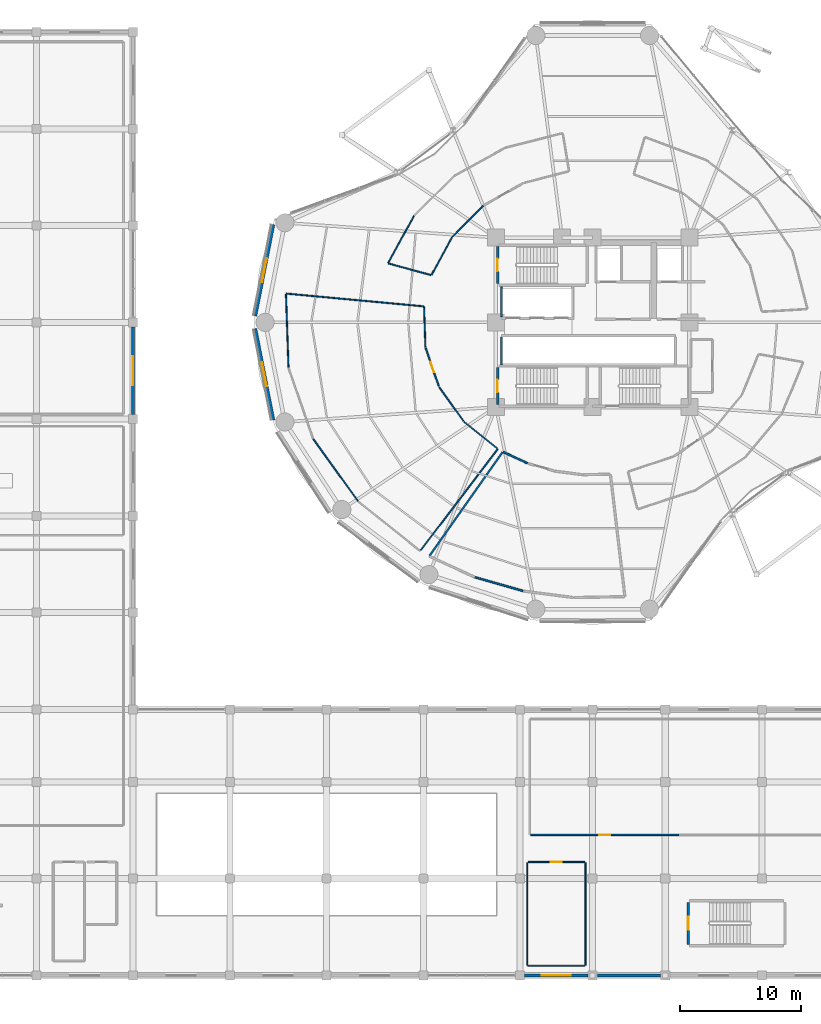
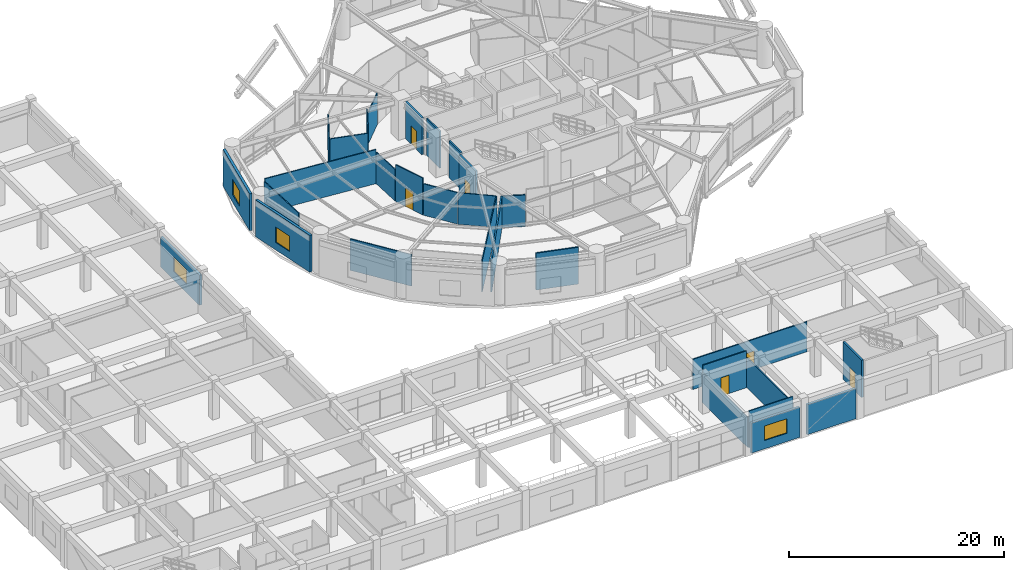
# One storey, part 43 of 55: 30 walls, 6 doors, 4 windows, 10 openings.
"""IFC4 building model written with IfcOpenShell, lengths in metres."""

import ifcopenshell
import ifcopenshell.guid

model = None  # the IFC model being written
_history = None  # IfcOwnerHistory: only IFC2X3 demands one
_inside = {}  # id of a spatial element -> (the spatial element, [elements in it])
_under = {}  # id of a project, library or spatial element -> (it, [spatial elements below it])
_declared = {}  # id of a project -> (the project, [libraries it declares])
_typed = {}  # id of a type object -> (the type object, [elements of that type])
_made_of = {}  # id of a material, layer set ... -> (it, [elements and type objects made of it])


def new_model(schema):
    """Start an empty IFC model of exactly this schema.

    Asked for "IFC4X3", IfcOpenShell would pick the latest addendum, in which some entities
    have other attributes; the version numbers below select the first issue.
    IFC2X3 requires an IfcOwnerHistory on every rooted entity: one is made here for all.
    """
    global model, _history
    if schema == "IFC4X3":
        model = ifcopenshell.file(schema_version=(4, 3, 0, 0))
    else:
        model = ifcopenshell.file(schema=schema)
    _inside.clear()
    _under.clear()
    _declared.clear()
    _typed.clear()
    _made_of.clear()
    _history = None
    if model.schema == "IFC2X3":
        org = make("IfcOrganization", Name="unknown")
        user = make(
            "IfcPersonAndOrganization",
            ThePerson=make("IfcPerson", FamilyName="unknown"),
            TheOrganization=org,
        )
        app = make(
            "IfcApplication",
            ApplicationDeveloper=org,
            Version="unknown",
            ApplicationFullName="unknown",
            ApplicationIdentifier="unknown",
        )
        _history = make(
            "IfcOwnerHistory",
            OwningUser=user,
            OwningApplication=app,
            ChangeAction="ADDED",
            CreationDate=0,
        )
    return model


def make(cls, **values):
    """One entity of the class cls with the attributes given. An attribute that is None is left unset."""
    return model.create_entity(
        cls, **{name: value for name, value in values.items() if value is not None}
    )


def rooted(cls, **values):
    """An entity with a GlobalId (a new one), such as an element, a storey or a relation."""
    return make(cls, GlobalId=ifcopenshell.guid.new(), OwnerHistory=_history, **values)


def si_unit(unit_type, name, prefix=None):
    """IfcSIUnit, for example si_unit("LENGTHUNIT", "METRE", prefix="MILLI")."""
    return make("IfcSIUnit", UnitType=unit_type, Prefix=prefix, Name=name)


def assignment(units):
    """IfcUnitAssignment: the units of a project."""
    return None if units is None else make("IfcUnitAssignment", Units=units)


def point(xyz):
    """IfcCartesianPoint."""
    return None if xyz is None else make("IfcCartesianPoint", Coordinates=xyz)


def direction(xyz):
    """IfcDirection."""
    return None if xyz is None else make("IfcDirection", DirectionRatios=xyz)


def frame(location, z_axis=None, x_axis=None):
    """IfcAxis2Placement3D, a coordinate frame: its origin and axes. An axis left out is left unset."""
    return make(
        "IfcAxis2Placement3D",
        Location=point(location),
        Axis=direction(z_axis),
        RefDirection=direction(x_axis),
    )


def frame_2d(location, x_axis=None):
    """IfcAxis2Placement2D, a coordinate frame in the plane: its origin and x axis."""
    return make(
        "IfcAxis2Placement2D", Location=point(location), RefDirection=direction(x_axis)
    )


def origin():
    """The frame at (0, 0, 0) with its axes left unset."""
    return frame((0.0, 0.0, 0.0))


def place(relative_to, where):
    """IfcLocalPlacement: puts the frame where relative to a parent placement (None: the world)."""
    return make(
        "IfcLocalPlacement", PlacementRelTo=relative_to, RelativePlacement=where
    )


def context(
    kind, dimensions, precision=None, world=None, true_north=None, identifier=None
):
    """IfcGeometricRepresentationContext, for example the 3D "Model" context."""
    return make(
        "IfcGeometricRepresentationContext",
        ContextIdentifier=identifier,
        ContextType=kind,
        CoordinateSpaceDimension=dimensions,
        Precision=precision,
        WorldCoordinateSystem=world,
        TrueNorth=true_north,
    )


def subcontext(parent, identifier, kind, view, scale=None):
    """IfcGeometricRepresentationSubContext, for example "Body" below "Model"."""
    return make(
        "IfcGeometricRepresentationSubContext",
        ContextIdentifier=identifier,
        ContextType=kind,
        ParentContext=parent,
        TargetScale=scale,
        TargetView=view,
    )


def project(units=None, contexts=None):
    """IfcProject with its units and contexts."""
    return rooted(
        "IfcProject",
        Name="project",
        RepresentationContexts=contexts,
        UnitsInContext=assignment(units),
    )


def spatial(cls, under=None, at=None, **own):
    """A site, building, storey or space (cls), placed at a placement, below another one or the project."""
    s = rooted(cls, ObjectPlacement=at, **own)
    if under is not None:
        _under.setdefault(under.id(), (under, []))[1].append(s)
    return s


def profile(cls, at=None, kind="AREA", **sizes):
    """A parametric profile (cls). Its sizes go by their IFC names, for example OverallWidth=200.0."""
    return make(cls, ProfileType=kind, Position=at, **sizes)


def rectangle(**sizes):
    """IfcRectangleProfileDef."""
    return profile("IfcRectangleProfileDef", **sizes)


def extrude(swept, where, along, depth):
    """IfcExtrudedAreaSolid: the profile swept, set in the frame where, extruded along a direction by depth."""
    return make(
        "IfcExtrudedAreaSolid",
        SweptArea=swept,
        Position=where,
        ExtrudedDirection=direction(along),
        Depth=depth,
    )


def shape(context_of_items, identifier, shape_type, items):
    """IfcShapeRepresentation: the items that make up one representation, for example the "Body"."""
    return make(
        "IfcShapeRepresentation",
        ContextOfItems=context_of_items,
        RepresentationIdentifier=identifier,
        RepresentationType=shape_type,
        Items=items,
    )


def material(Name=None, Category=None):
    """IfcMaterial."""
    return make("IfcMaterial", Name=Name, Category=Category)


def layer(
    of_material, thickness, ventilated=None, Name=None, Category=None, Priority=None
):
    """IfcMaterialLayer: one layer of a wall or slab, of a material (None: an air gap)."""
    return make(
        "IfcMaterialLayer",
        Material=of_material,
        LayerThickness=thickness,
        IsVentilated=ventilated,
        Name=Name,
        Category=Category,
        Priority=Priority,
    )


def layer_set(layers, Name=None):
    """IfcMaterialLayerSet."""
    return make("IfcMaterialLayerSet", MaterialLayers=layers, LayerSetName=Name)


def made_of(thing, what):
    """Note that an element or type object is made of a material, layer set ...; save() writes the relation."""
    if what is not None:
        _made_of.setdefault(what.id(), (what, []))[1].append(thing)
    return thing


def type_object(cls, material=None, **own):
    """A type object (cls), such as IfcWallType, which elements share."""
    return made_of(rooted(cls, **own), material)


def element(
    cls,
    number,
    at=None,
    inside=None,
    cuts=None,
    type_object=None,
    material=None,
    context=None,
    identifier="Body",
    shape_type=None,
    held_by="IfcProductDefinitionShape",
    body=None,
    shapes=None,
    **own,
):
    """One element of the class cls, such as IfcWall. Its Tag is "e" and its number.

    at: its placement. inside: the storey or other place that contains it. cuts: it is an
    opening in that element (IfcRelVoidsElement). A single representation is given by context,
    identifier, shape_type and body (its items); several are given by shapes. held_by: the class
    of the entity that holds the representations. save() writes the other relations.
    """
    e = rooted(cls, Tag="e%d" % number, ObjectPlacement=at, **own)
    if body is not None:
        shapes = [shape(context, identifier, shape_type, body)]
    if shapes is not None:
        e.Representation = make(held_by, Representations=shapes)
    if inside is not None:
        _inside.setdefault(inside.id(), (inside, []))[1].append(e)
    if cuts is not None:
        rooted(
            "IfcRelVoidsElement", RelatingBuildingElement=cuts, RelatedOpeningElement=e
        )
    if type_object is not None:
        _typed.setdefault(type_object.id(), (type_object, []))[1].append(e)
    return made_of(e, material)


def fill(opening, filler):
    """IfcRelFillsElement: the door or window that sits in an opening."""
    return rooted(
        "IfcRelFillsElement",
        RelatingOpeningElement=opening,
        RelatedBuildingElement=filler,
    )


def aggregate(whole, parts):
    """IfcRelAggregates: a whole, such as a stair, and the parts it consists of."""
    return rooted("IfcRelAggregates", RelatingObject=whole, RelatedObjects=parts)


def save(model, path):
    """Write the relations noted so far, then the file.

    IfcRelAggregates (storeys below a building ...), IfcRelContainedInSpatialStructure (elements
    in a storey), IfcRelDefinesByType, IfcRelAssociatesMaterial and IfcRelDeclares: one each for
    every whole, place, type object, material and project.
    """
    for whole, parts in _under.values():
        aggregate(whole, parts)
    for where, things in _inside.values():
        rooted(
            "IfcRelContainedInSpatialStructure",
            RelatedElements=things,
            RelatingStructure=where,
        )
    for kind, things in _typed.values():
        rooted("IfcRelDefinesByType", RelatedObjects=things, RelatingType=kind)
    for what, things in _made_of.values():
        rooted("IfcRelAssociatesMaterial", RelatedObjects=things, RelatingMaterial=what)
    for by, libraries in _declared.values():
        rooted("IfcRelDeclares", RelatingContext=by, RelatedDefinitions=libraries)
    model.write(path)


model = new_model("IFC4")

# Units and contexts
model_context = context("Model", 3, precision=1e-05, world=origin(), true_north=direction((0.0, 1.0)))
body_context = subcontext(model_context, "Body", "Model", "MODEL_VIEW")
ifc_project = project(units=[si_unit("LENGTHUNIT", "METRE"), si_unit("AREAUNIT", "SQUARE_METRE"), si_unit("VOLUMEUNIT", "CUBIC_METRE"), si_unit("PLANEANGLEUNIT", "RADIAN"), si_unit("MASSUNIT", "GRAM", prefix="KILO")], contexts=[model_context])

# Site, building, storey
site_placement = place(None, origin())
site = spatial("IfcSite", under=ifc_project, at=site_placement, CompositionType="ELEMENT")
building_placement = place(site_placement, origin())
building = spatial("IfcBuilding", under=site, at=building_placement, Name="Kelanora Arch Commons", CompositionType="ELEMENT")
storey_placement = place(building_placement, frame((0.0, 0.0, 4.5)))
storey = spatial("IfcBuildingStorey", under=building, at=storey_placement, Name="L01", CompositionType="ELEMENT", Elevation=4.5)

# Walls
ifc_material_1 = material(Name="Autoclaved aerated concrete blockwork with fire plaster", Category="masonry")
ifc_layer_1 = layer(ifc_material_1, 0.14990234375)
ifc_layer_set_1 = layer_set([ifc_layer_1], Name="Autoclaved aerated concrete blockwork with fire plaster")
wall_type_1 = type_object("IfcWallType", Name="W-COMP-150", PredefinedType="PARTITIONING", material=ifc_layer_set_1)
wall_1_placement = place(storey_placement, frame((66.4599609375, 58.47998046875, 0.0), z_axis=(0.0, 0.0, 1.0), x_axis=(0.0, 1.0, 0.0)))
element("IfcWall", 1, at=wall_1_placement, inside=storey, type_object=wall_type_1, Name="Low-Rise Lift Bank West Wall L01", PredefinedType="PARTITIONING", context=body_context, shape_type="SweptSolid", body=[
    extrude(rectangle(XDim=2.4599609375, YDim=0.14990234375, at=frame_2d((1.22998046875, 0.0))), origin(), (0.0, 0.0, 1.0), 4.18994140625),
])
wall_2_placement = place(storey_placement, frame((66.4599609375, 54.47998046875, 0.0), z_axis=(0.0, 0.0, 1.0), x_axis=(0.0, 1.0, 0.0)))
element("IfcWall", 2, at=wall_2_placement, inside=storey, type_object=wall_type_1, Name="South Lift Bank West Wall L01", PredefinedType="PARTITIONING", context=body_context, shape_type="SweptSolid", body=[
    extrude(rectangle(XDim=2.2900390625, YDim=0.14990234375, at=frame_2d((1.14501953125, 0.0))), origin(), (0.0, 0.0, 1.0), 4.18994140625),
])
wall_3_placement = place(storey_placement, frame((66.607421875, 47.28125, 0.0), z_axis=(0.0, 0.0, 1.0), x_axis=(0.907209153003, -0.420679869625, 0.0)))
element("IfcWall", 3, at=wall_3_placement, inside=storey, type_object=wall_type_1, Name="Tower Podium Linen and Housekeeping Store L01 Enclosure Partition 1", PredefinedType="PARTITIONING", context=body_context, shape_type="SweptSolid", body=[
    extrude(rectangle(XDim=2.19482421875, YDim=0.14990234375, at=frame_2d((1.097412109375, 0.0))), origin(), (0.0, 0.0, 1.0), 3.5849609375),
])
wall_4_placement = place(storey_placement, frame((68.2255859375, 35.794921875, 0.0), z_axis=(0.0, 0.0, 1.0), x_axis=(-0.961332891956, 0.275388944666, 0.0)))
element("IfcWall", 4, at=wall_4_placement, inside=storey, type_object=wall_type_1, Name="Tower Podium Linen and Housekeeping Store L01 Enclosure Partition 8", PredefinedType="PARTITIONING", context=body_context, shape_type="SweptSolid", body=[
    extrude(rectangle(XDim=4.103759765625, YDim=0.14990234375, at=frame_2d((2.0517578125, 0.0))), origin(), (0.0, 0.0, 1.0), 4.18994140625),
])
wall_5_placement = place(storey_placement, frame((60.510009765625, 38.69775390625, 0.0), z_axis=(0.0, 0.0, 1.0), x_axis=(0.576068501476, 0.817401420116, 0.0)))
element("IfcWall", 5, at=wall_5_placement, inside=storey, type_object=wall_type_1, Name="Tower Podium Linen and Housekeeping Store L01 Enclosure Partition 10", PredefinedType="PARTITIONING", context=body_context, shape_type="SweptSolid", body=[
    extrude(rectangle(XDim=10.4814453125, YDim=0.14990234375, at=frame_2d((5.24072265625, 0.0))), origin(), (0.0, 0.0, 1.0), 3.5849609375),
])

# Wall, opening, window
ifc_material_2 = material(Name="Precast concrete C40/50 with terracotta ceramic cladding", Category="masonry")
ifc_layer_2 = layer(ifc_material_2, 0.25)
ifc_layer_set_2 = layer_set([ifc_layer_2], Name="Precast concrete C40/50 with terracotta ceramic cladding")
wall_type_2 = type_object("IfcWallType", Name="W-EXT-MKT", PredefinedType="SOLIDWALL", material=ifc_layer_set_2)
wall_6_placement = place(storey_placement, frame((68.3798828125, 4.0, 0.0), z_axis=(0.0, 0.0, 1.0), x_axis=(1.0, 0.0, 0.0)))
wall_6 = element("IfcWall", 6, at=wall_6_placement, inside=storey, type_object=wall_type_2, Name="Market Hall Exterior Wall L01-08", PredefinedType="SOLIDWALL", context=body_context, shape_type="SweptSolid", body=[
    extrude(rectangle(XDim=5.240234375, YDim=0.25, at=frame_2d((2.6201171875, 0.0))), origin(), (0.0, 0.0, 1.0), 3.419921875),
])
opening_1_placement = place(wall_6_placement, frame((1.419921875, 0.0, 0.949951171875)))
opening_1 = element("IfcOpeningElement", 7, at=opening_1_placement, cuts=wall_6, Name="Opening WN-03", PredefinedType="OPENING", context=body_context, shape_type="SweptSolid", body=[
    extrude(rectangle(XDim=2.39990234375, YDim=1.64990234375, at=frame_2d((1.199951171875, 0.824951171875))), frame((0.0, 0.135009765625, 0.0), z_axis=(0.0, -1.0, 0.0), x_axis=(1.0, 0.0, 0.0)), (0.0, 0.0, 1.0), 0.27001953125),
])
ifc_material_3 = material(Name="Bronze-terracotta aluminium monsoon clerestory window", Category="masonry")
window_type_1 = type_object("IfcWindowType", Name="WIN-MKT-24", PartitioningType="TRIPLE_PANEL_VERTICAL", PredefinedType="WINDOW", material=ifc_material_3)
window_1_placement = place(opening_1_placement, origin())
window_1 = element("IfcWindow", 8, at=window_1_placement, inside=storey, type_object=window_type_1, Name="Market Hall Clerestory Window L01-08", OverallHeight=1.64990234375, OverallWidth=2.39990234375, PartitioningType="SINGLE_PANEL", PredefinedType="WINDOW", context=body_context, shape_type="SweptSolid", body=[
    extrude(rectangle(XDim=2.39990234375, YDim=1.64990234375, at=frame_2d((1.199951171875, 0.824951171875))), frame((0.0, 0.030029296875, 0.0), z_axis=(0.0, -1.0, 0.0), x_axis=(1.0, 0.0, 0.0)), (0.0, 0.0, 1.0), 0.06005859375),
])
fill(opening_1, window_1)

# Wall
wall_7_placement = place(storey_placement, frame((74.3798828125, 4.0, 0.0), z_axis=(0.0, 0.0, 1.0), x_axis=(1.0, 0.0, 0.0)))
element("IfcWall", 9, at=wall_7_placement, inside=storey, type_object=wall_type_2, Name="Market Hall Exterior Wall L01-09", PredefinedType="SOLIDWALL", context=body_context, shape_type="SweptSolid", body=[
    extrude(rectangle(XDim=5.240234375, YDim=0.25, at=frame_2d((2.6201171875, 0.0))), origin(), (0.0, 0.0, 1.0), 3.419921875),
])

# Wall, opening, window
wall_8_placement = place(storey_placement, frame((36.0, 50.3798828125, 0.0), z_axis=(0.0, 0.0, 1.0), x_axis=(0.0, 1.0, 0.0)))
wall_8 = element("IfcWall", 10, at=wall_8_placement, inside=storey, type_object=wall_type_2, Name="Market Hall Exterior Wall L01-26", PredefinedType="SOLIDWALL", context=body_context, shape_type="SweptSolid", body=[
    extrude(rectangle(XDim=7.240234375, YDim=0.25, at=frame_2d((3.6201171875, 0.0))), origin(), (0.0, 0.0, 1.0), 3.419921875),
])
opening_2_placement = place(wall_8_placement, frame((2.419921875, 0.0, 0.949951171875)))
opening_2 = element("IfcOpeningElement", 11, at=opening_2_placement, cuts=wall_8, Name="Opening WN-03", PredefinedType="OPENING", context=body_context, shape_type="SweptSolid", body=[
    extrude(rectangle(XDim=2.39990234375, YDim=1.64990234375, at=frame_2d((1.199951171875, 0.824951171875))), frame((0.0, 0.135009765625, 0.0), z_axis=(0.0, -1.0, 0.0), x_axis=(1.0, 0.0, 0.0)), (0.0, 0.0, 1.0), 0.27001953125),
])
window_2_placement = place(opening_2_placement, origin())
window_2 = element("IfcWindow", 12, at=window_2_placement, inside=storey, type_object=window_type_1, Name="Market Hall Clerestory Window L01-26", OverallHeight=1.64990234375, OverallWidth=2.39990234375, PartitioningType="SINGLE_PANEL", PredefinedType="WINDOW", context=body_context, shape_type="SweptSolid", body=[
    extrude(rectangle(XDim=2.39990234375, YDim=1.64990234375, at=frame_2d((1.199951171875, 0.824951171875))), frame((0.0, 0.030029296875, 0.0), z_axis=(0.0, -1.0, 0.0), x_axis=(1.0, 0.0, 0.0)), (0.0, 0.0, 1.0), 0.06005859375),
])
fill(opening_2, window_2)

ifc_material_4 = material(Name="Precast concrete C40/50 with terracotta rainscreen", Category="masonry")
ifc_layer_3 = layer(ifc_material_4, 0.260009765625)
ifc_layer_set_3 = layer_set([ifc_layer_3], Name="Precast concrete C40/50 with terracotta rainscreen")
wall_type_3 = type_object("IfcWallType", Name="W-EXT-TC", PredefinedType="SOLIDWALL", material=ifc_layer_set_3)
wall_9_placement = place(storey_placement, frame((47.595703125, 66.080078125, 0.0), z_axis=(0.0, 0.0, 1.0), x_axis=(-0.193726159581, -0.98105564322, 0.0)))
wall_9 = element("IfcWall", 13, at=wall_9_placement, inside=storey, type_object=wall_type_3, Name="Terracotta Exterior Wall L01-B08", PredefinedType="SOLIDWALL", context=body_context, shape_type="SweptSolid", body=[
    extrude(rectangle(XDim=7.70263671875, YDim=0.260009765625, at=frame_2d((3.851318359375, 0.0))), origin(), (0.0, 0.0, 1.0), 4.18505859375),
])
opening_3_placement = place(wall_9_placement, frame((2.85107421875, 0.0, 0.85009765625)))
opening_3 = element("IfcOpeningElement", 14, at=opening_3_placement, cuts=wall_9, Name="Opening WN-05", PredefinedType="OPENING", context=body_context, shape_type="SweptSolid", body=[
    extrude(rectangle(XDim=2.0, YDim=1.75, at=frame_2d((1.0, 0.875))), frame((0.0, 0.14013671875, 0.0), z_axis=(0.0, -1.0, 0.0), x_axis=(1.0, 0.0, 0.0)), (0.0, 0.0, 1.0), 0.280029296875),
])
ifc_material_5 = material(Name="Terracotta-anodised aluminium podium window", Category="masonry")
window_type_2 = type_object("IfcWindowType", Name="WIN-POD-20", PartitioningType="TRIPLE_PANEL_VERTICAL", PredefinedType="WINDOW", material=ifc_material_5)
window_3_placement = place(opening_3_placement, origin())
window_3 = element("IfcWindow", 15, at=window_3_placement, inside=storey, type_object=window_type_2, Name="Podium Window L01-B08", OverallHeight=1.75, OverallWidth=2.0, PartitioningType="SINGLE_PANEL", PredefinedType="WINDOW", context=body_context, shape_type="SweptSolid", body=[
    extrude(rectangle(XDim=2.0, YDim=1.75, at=frame_2d((1.0, 0.875))), frame((0.0, 0.030029296875, 0.0), z_axis=(0.0, -1.0, 0.0), x_axis=(1.0, 0.0, 0.0)), (0.0, 0.0, 1.0), 0.06005859375),
])
fill(opening_3, window_3)

wall_10_placement = place(storey_placement, frame((46.103515625, 57.4765625, 0.0), z_axis=(0.0, 0.0, 1.0), x_axis=(0.193726159581, -0.98105564322, 0.0)))
wall_10 = element("IfcWall", 16, at=wall_10_placement, inside=storey, type_object=wall_type_3, Name="Terracotta Exterior Wall L01-B09", PredefinedType="SOLIDWALL", context=body_context, shape_type="SweptSolid", body=[
    extrude(rectangle(XDim=7.70263671875, YDim=0.260009765625, at=frame_2d((3.851318359375, 0.0))), origin(), (0.0, 0.0, 1.0), 4.18505859375),
])
opening_4_placement = place(wall_10_placement, frame((2.85107421875, 0.0, 0.85009765625)))
opening_4 = element("IfcOpeningElement", 17, at=opening_4_placement, cuts=wall_10, Name="Opening WN-05", PredefinedType="OPENING", context=body_context, shape_type="SweptSolid", body=[
    extrude(rectangle(XDim=2.0, YDim=1.75, at=frame_2d((1.0, 0.875))), frame((0.0, 0.14013671875, 0.0), z_axis=(0.0, -1.0, 0.0), x_axis=(1.0, 0.0, 0.0)), (0.0, 0.0, 1.0), 0.280029296875),
])
window_4_placement = place(opening_4_placement, origin())
window_4 = element("IfcWindow", 18, at=window_4_placement, inside=storey, type_object=window_type_2, Name="Podium Window L01-B09", OverallHeight=1.75, OverallWidth=2.0, PartitioningType="SINGLE_PANEL", PredefinedType="WINDOW", context=body_context, shape_type="SweptSolid", body=[
    extrude(rectangle(XDim=2.0, YDim=1.75, at=frame_2d((1.0, 0.875))), frame((0.0, 0.030029296875, 0.0), z_axis=(0.0, -1.0, 0.0), x_axis=(1.0, 0.0, 0.0)), (0.0, 0.0, 1.0), 0.06005859375),
])
fill(opening_4, window_4)

# Walls
ifc_material_6 = material(Name="Lightweight fire-rated acoustic stud partition")
ifc_layer_4 = layer(ifc_material_6, 0.10009765625)
ifc_layer_set_4 = layer_set([ifc_layer_4], Name="Lightweight fire-rated acoustic stud partition")
wall_type_4 = type_object("IfcWallType", Name="W-PART-100", PredefinedType="PARTITIONING", material=ifc_layer_set_4)
wall_11_placement = place(storey_placement, frame((68.639892578125, 4.800048828125, 0.0), z_axis=(0.0, 0.0, 1.0), x_axis=(1.0, 0.0, 0.0)))
element("IfcWall", 19, at=wall_11_placement, inside=storey, type_object=wall_type_4, Name="Market Cooperative Administration Office L01 Enclosure Partition 1", PredefinedType="PARTITIONING", context=body_context, shape_type="SweptSolid", body=[
    extrude(rectangle(XDim=4.72021484375, YDim=0.10009765625, at=frame_2d((2.360107421875, 0.0))), origin(), (0.0, 0.0, 1.0), 4.18994140625),
])
for number, where, z_axis, x_axis, name in (
    (20, (73.39990234375, 4.840087890625, 0.0), (0.0, 0.0, 1.0), (0.0, 1.0, 0.0), "Market Cooperative Administration Office L01 Enclosure Partition 2"),
    (21, (68.60009765625, 13.340087890625, 0.0), (0.0, 0.0, 1.0), (0.0, -1.0, 0.0), "Market Cooperative Administration Office L01 Enclosure Partition 4"),
):
    element("IfcWall", number, at=place(storey_placement, frame(where, z_axis=z_axis, x_axis=x_axis)), inside=storey, type_object=wall_type_4, Name=name, PredefinedType="PARTITIONING", context=body_context, shape_type="SweptSolid", body=[
        extrude(rectangle(XDim=8.5, YDim=0.10009765625, at=frame_2d((4.25, 0.0))), origin(), (0.0, 0.0, 1.0), 3.425048828125),
    ])
wall_12_placement = place(storey_placement, frame((64.959716796875, 67.638671875, 0.0), z_axis=(0.0, 0.0, 1.0), x_axis=(-0.707241957398, -0.706971579129, 0.0)))
element("IfcWall", 22, at=wall_12_placement, inside=storey, type_object=wall_type_4, Name="North Courtyard Culinary Dining Hall L01-B Enclosure Partition 3", PredefinedType="PARTITIONING", context=body_context, shape_type="SweptSolid", body=[
    extrude(rectangle(XDim=3.61181640625, YDim=0.10009765625, at=frame_2d((1.805908203125, 0.0))), origin(), (0.0, 0.0, 1.0), 3.5849609375),
])
wall_13_placement = place(storey_placement, frame((62.35791015625, 65.021728515625, 0.0), z_axis=(0.0, 0.0, 1.0), x_axis=(-0.476511645664, -0.879168158856, 0.0)))
element("IfcWall", 23, at=wall_13_placement, inside=storey, type_object=wall_type_4, Name="North Courtyard Culinary Dining Hall L01-B Enclosure Partition 4", PredefinedType="PARTITIONING", context=body_context, shape_type="SweptSolid", body=[
    extrude(rectangle(XDim=3.5107421875, YDim=0.10009765625, at=frame_2d((1.75537109375, 0.0))), origin(), (0.0, 0.0, 1.0), 4.18994140625),
])
wall_14_placement = place(storey_placement, frame((60.62744140625, 61.910400390625, 0.0), z_axis=(0.0, 0.0, 1.0), x_axis=(-0.964640120238, 0.263570556831, 0.0)))
element("IfcWall", 24, at=wall_14_placement, inside=storey, type_object=wall_type_4, Name="North Courtyard Culinary Dining Hall L01-B Enclosure Partition 5", PredefinedType="PARTITIONING", context=body_context, shape_type="SweptSolid", body=[
    extrude(rectangle(XDim=3.646728515625, YDim=0.10009765625, at=frame_2d((1.8232421875, 0.0))), origin(), (0.0, 0.0, 1.0), 3.945068359375),
])
wall_15_placement = place(storey_placement, frame((57.09033203125, 62.9169921875, 0.0), z_axis=(0.0, 0.0, 1.0), x_axis=(0.481529459126, 0.876429905922, 0.0)))
element("IfcWall", 25, at=wall_15_placement, inside=storey, type_object=wall_type_4, Name="North Courtyard Culinary Dining Hall L01-B Enclosure Partition 6", PredefinedType="PARTITIONING", context=body_context, shape_type="SweptSolid", body=[
    extrude(rectangle(XDim=4.43017578125, YDim=0.10009765625, at=frame_2d((2.215087890625, 0.0))), origin(), (0.0, 0.0, 1.0), 3.5849609375),
])
wall_16_placement = place(storey_placement, frame((60.058349609375, 59.279052734375, 0.0), z_axis=(0.0, 0.0, 1.0), x_axis=(0.033786827999, -0.999429062142, 0.0)))
element("IfcWall", 26, at=wall_16_placement, inside=storey, type_object=wall_type_4, Name="Student Laundromat and Fitness Studio L01-C Enclosure Partition 1", PredefinedType="PARTITIONING", context=body_context, shape_type="SweptSolid", body=[
    extrude(rectangle(XDim=3.323974609375, YDim=0.10009765625, at=frame_2d((1.662109375, 0.0))), origin(), (0.0, 0.0, 1.0), 3.5849609375),
])
wall_17_placement = place(storey_placement, frame((61.317138671875, 52.634521484375, 0.0), z_axis=(0.0, 0.0, 1.0), x_axis=(0.581265057715, -0.813714281968, 0.0)))
element("IfcWall", 27, at=wall_17_placement, inside=storey, type_object=wall_type_4, Name="Student Laundromat and Fitness Studio L01-C Enclosure Partition 3", PredefinedType="PARTITIONING", context=body_context, shape_type="SweptSolid", body=[
    extrude(rectangle(XDim=3.438720703125, YDim=0.10009765625, at=frame_2d((1.71923828125, 0.0))), origin(), (0.0, 0.0, 1.0), 3.5849609375),
])
wall_18_placement = place(storey_placement, frame((63.3701171875, 49.779052734375, 0.0), z_axis=(0.0, 0.0, 1.0), x_axis=(0.779622016763, -0.626250358067, 0.0)))
element("IfcWall", 28, at=wall_18_placement, inside=storey, type_object=wall_type_4, Name="Student Laundromat and Fitness Studio L01-C Enclosure Partition 4", PredefinedType="PARTITIONING", context=body_context, shape_type="SweptSolid", body=[
    extrude(rectangle(XDim=3.53857421875, YDim=0.10009765625, at=frame_2d((1.769287109375, 0.0))), origin(), (0.0, 0.0, 1.0), 3.5849609375),
])
wall_19_placement = place(storey_placement, frame((66.1357421875, 47.506103515625, 0.0), z_axis=(0.0, 0.0, 1.0), x_axis=(-0.605364986989, -0.795948008684, 0.0)))
element("IfcWall", 29, at=wall_19_placement, inside=storey, type_object=wall_type_4, Name="Student Laundromat and Fitness Studio L01-C Enclosure Partition 5", PredefinedType="PARTITIONING", context=body_context, shape_type="SweptSolid", body=[
    extrude(rectangle(XDim=10.523681640625, YDim=0.10009765625, at=frame_2d((5.26171875, 0.0))), origin(), (0.0, 0.0, 1.0), 3.5849609375),
])
wall_20_placement = place(storey_placement, frame((54.586669921875, 43.2255859375, 0.0), z_axis=(0.0, 0.0, 1.0), x_axis=(-0.584098181026, 0.811683013819, 0.0)))
element("IfcWall", 30, at=wall_20_placement, inside=storey, type_object=wall_type_4, Name="Student Laundromat and Fitness Studio L01-C Enclosure Partition 7", PredefinedType="PARTITIONING", context=body_context, shape_type="SweptSolid", body=[
    extrude(rectangle(XDim=6.29052734375, YDim=0.10009765625, at=frame_2d((3.145263671875, 0.0))), origin(), (0.0, 0.0, 1.0), 3.5849609375),
])
wall_21_placement = place(storey_placement, frame((48.8486328125, 54.277099609375, 0.0), z_axis=(0.0, 0.0, 1.0), x_axis=(-0.034150558558, 0.999416699555, 0.0)))
element("IfcWall", 31, at=wall_21_placement, inside=storey, type_object=wall_type_4, Name="Student Laundromat and Fitness Studio L01-C Enclosure Partition 9", PredefinedType="PARTITIONING", context=body_context, shape_type="SweptSolid", body=[
    extrude(rectangle(XDim=6.069580078125, YDim=0.10009765625, at=frame_2d((3.03466796875, 0.0))), origin(), (0.0, 0.0, 1.0), 3.5849609375),
])
wall_22_placement = place(storey_placement, frame((48.6796875, 60.37939453125, 0.0), z_axis=(0.0, 0.0, 1.0), x_axis=(0.995685013566, -0.092797380135, 0.0)))
element("IfcWall", 32, at=wall_22_placement, inside=storey, type_object=wall_type_4, Name="Student Laundromat and Fitness Studio L01-C Enclosure Partition 10", PredefinedType="PARTITIONING", context=body_context, shape_type="SweptSolid", body=[
    extrude(rectangle(XDim=11.386474609375, YDim=0.10009765625, at=frame_2d((5.693359375, 0.0))), origin(), (0.0, 0.0, 1.0), 3.885009765625),
])

# Wall, opening, door
ifc_material_7 = material(Name="Acoustic twin-stud fire-rated gypsum partition")
ifc_layer_5 = layer(ifc_material_7, 0.1201171875)
ifc_layer_set_5 = layer_set([ifc_layer_5], Name="Acoustic twin-stud fire-rated gypsum partition")
wall_type_5 = type_object("IfcWallType", Name="W-PART-120", PredefinedType="PARTITIONING", material=ifc_layer_set_5)
wall_23_placement = place(storey_placement, frame((68.659912109375, 13.3798828125, 0.0), z_axis=(0.0, 0.0, 1.0), x_axis=(1.0, 0.0, 0.0)))
wall_23 = element("IfcWall", 33, at=wall_23_placement, inside=storey, type_object=wall_type_5, Name="Market Cooperative Administration Office L01 Entry Partition", PredefinedType="PARTITIONING", context=body_context, shape_type="SweptSolid", body=[
    extrude(rectangle(XDim=4.68017578125, YDim=0.1201171875, at=frame_2d((2.340087890625, 0.0))), origin(), (0.0, 0.0, 1.0), 4.18994140625),
])
opening_5_placement = place(wall_23_placement, frame((1.889892578125, 0.0, 0.0)))
opening_5 = element("IfcOpeningElement", 34, at=opening_5_placement, cuts=wall_23, Name="Opening D-RM1", PredefinedType="OPENING", context=body_context, shape_type="SweptSolid", body=[
    extrude(rectangle(XDim=0.89990234375, YDim=2.080078125, at=frame_2d((0.449951171875, 1.0400390625))), frame((0.0, 0.070068359375, 0.0), z_axis=(0.0, -1.0, 0.0), x_axis=(1.0, 0.0, 0.0)), (0.0, 0.0, 1.0), 0.14013671875),
])
ifc_material_8 = material(Name="Acoustic fire-rated timber study and lounge door", Category="wood")
door_type_1 = type_object("IfcDoorType", Name="D-ROOM-90", OperationType="NOTDEFINED", PredefinedType="DOOR", material=ifc_material_8)
door_1_placement = place(opening_5_placement, origin())
door_1 = element("IfcDoor", 35, at=door_1_placement, inside=storey, type_object=door_type_1, Name="Market Cooperative Administration Office L01 Door", OperationType="SINGLE_SWING_LEFT", OverallHeight=2.080078125, OverallWidth=0.89990234375, PredefinedType="DOOR", context=body_context, shape_type="SweptSolid", body=[
    extrude(rectangle(XDim=0.89990234375, YDim=2.080078125, at=frame_2d((0.449951171875, 1.0400390625))), frame((0.0, 0.02490234375, 0.0), z_axis=(0.0, -1.0, 0.0), x_axis=(1.0, 0.0, 0.0)), (0.0, 0.0, 1.0), 0.050048828125),
])
fill(opening_5, door_1)

wall_24_placement = place(storey_placement, frame((68.860107421875, 15.6201171875, 0.0), z_axis=(0.0, 0.0, 1.0), x_axis=(1.0, 0.0, 0.0)))
wall_24 = element("IfcWall", 36, at=wall_24_placement, inside=storey, type_object=wall_type_5, Name="East Craft Kiosks and Market Office Entry Partition", PredefinedType="PARTITIONING", context=body_context, shape_type="SweptSolid", body=[
    extrude(rectangle(XDim=12.27978515625, YDim=0.1201171875, at=frame_2d((6.139892578125, 0.0))), origin(), (0.0, 0.0, 1.0), 3.425048828125),
])
opening_6_placement = place(wall_24_placement, frame((5.68994140625, 0.0, 0.0)))
opening_6 = element("IfcOpeningElement", 37, at=opening_6_placement, cuts=wall_24, Name="Opening D-RM1", PredefinedType="OPENING", context=body_context, shape_type="SweptSolid", body=[
    extrude(rectangle(XDim=0.89990234375, YDim=2.080078125, at=frame_2d((0.449951171875, 1.0400390625))), frame((0.0, 0.070068359375, 0.0), z_axis=(0.0, -1.0, 0.0), x_axis=(1.0, 0.0, 0.0)), (0.0, 0.0, 1.0), 0.14013671875),
])
door_2_placement = place(opening_6_placement, origin())
door_2 = element("IfcDoor", 38, at=door_2_placement, inside=storey, type_object=door_type_1, Name="East Craft Kiosks and Market Office Door", OperationType="SINGLE_SWING_RIGHT", OverallHeight=2.080078125, OverallWidth=0.89990234375, PredefinedType="DOOR", context=body_context, shape_type="SweptSolid", body=[
    extrude(rectangle(XDim=0.89990234375, YDim=2.080078125, at=frame_2d((0.449951171875, 1.0400390625))), frame((0.0, 0.02490234375, 0.0), z_axis=(0.0, -1.0, 0.0), x_axis=(1.0, 0.0, 0.0)), (0.0, 0.0, 1.0), 0.050048828125),
])
fill(opening_6, door_2)

wall_25_placement = place(storey_placement, frame((60.191650390625, 55.8603515625, 0.0), z_axis=(0.0, 0.0, 1.0), x_axis=(0.326296764791, -0.945267380843, 0.0)))
wall_25 = element("IfcWall", 39, at=wall_25_placement, inside=storey, type_object=wall_type_5, Name="Student Laundromat and Fitness Studio L01-C Entry Partition", PredefinedType="PARTITIONING", context=body_context, shape_type="SweptSolid", body=[
    extrude(rectangle(XDim=3.318359375, YDim=0.1201171875, at=frame_2d((1.6591796875, 0.0))), origin(), (0.0, 0.0, 1.0), 4.18994140625),
])
opening_7_placement = place(wall_25_placement, frame((1.208984375, 0.0, 0.0)))
opening_7 = element("IfcOpeningElement", 40, at=opening_7_placement, cuts=wall_25, Name="Opening D-RM1", PredefinedType="OPENING", context=body_context, shape_type="SweptSolid", body=[
    extrude(rectangle(XDim=0.89990234375, YDim=2.080078125, at=frame_2d((0.449951171875, 1.0400390625))), frame((0.0, 0.070068359375, 0.0), z_axis=(0.0, -1.0, 0.0), x_axis=(1.0, 0.0, 0.0)), (0.0, 0.0, 1.0), 0.14013671875),
])
door_3_placement = place(opening_7_placement, origin())
door_3 = element("IfcDoor", 41, at=door_3_placement, inside=storey, type_object=door_type_1, Name="Student Laundromat and Fitness Studio L01-C Door", OperationType="SINGLE_SWING_LEFT", OverallHeight=2.080078125, OverallWidth=0.89990234375, PredefinedType="DOOR", context=body_context, shape_type="SweptSolid", body=[
    extrude(rectangle(XDim=0.89990234375, YDim=2.080078125, at=frame_2d((0.449951171875, 1.0400390625))), frame((0.0, 0.02490234375, 0.0), z_axis=(0.0, -1.0, 0.0), x_axis=(1.0, 0.0, 0.0)), (0.0, 0.0, 1.0), 0.050048828125),
])
fill(opening_7, door_3)

ifc_material_9 = material(Name="Concrete C40/50", Category="concrete")
ifc_layer_6 = layer(ifc_material_9, 0.199951171875)
ifc_layer_set_6 = layer_set([ifc_layer_6], Name="Concrete C40/50")
wall_type_6 = type_object("IfcWallType", Name="W-STAIR-200", PredefinedType="SHEAR", material=ifc_layer_set_6)
wall_26_placement = place(storey_placement, frame((66.139892578125, 64.27001953125, 0.0), z_axis=(0.0, 0.0, 1.0), x_axis=(0.0, -1.0, 0.0)))
wall_26 = element("IfcWall", 42, at=wall_26_placement, inside=storey, type_object=wall_type_6, Name="Stair ST-T1 Shaft Wall W L01", PredefinedType="SHEAR", context=body_context, shape_type="SweptSolid", body=[
    extrude(rectangle(XDim=3.070068359375, YDim=0.199951171875, at=frame_2d((1.53515625, 0.0))), origin(), (0.0, 0.0, 1.0), 4.199951171875),
])
opening_8_placement = place(wall_26_placement, frame((1.010009765625, 0.0, 0.0)))
opening_8 = element("IfcOpeningElement", 43, at=opening_8_placement, cuts=wall_26, Name="Opening D-ST1", PredefinedType="OPENING", context=body_context, shape_type="SweptSolid", body=[
    extrude(rectangle(XDim=1.050048828125, YDim=2.10009765625, at=frame_2d((0.52490234375, 1.050048828125))), frame((0.0, 0.10986328125, 0.0), z_axis=(0.0, -1.0, 0.0), x_axis=(1.0, 0.0, 0.0)), (0.0, 0.0, 1.0), 0.219970703125),
])
ifc_material_10 = material(Name="Steel fire-rated stairwell escape door", Category="steel")
door_type_2 = type_object("IfcDoorType", Name="D-STAIR-110", OperationType="NOTDEFINED", PredefinedType="DOOR", material=ifc_material_10)
door_4_placement = place(opening_8_placement, origin())
door_4 = element("IfcDoor", 44, at=door_4_placement, inside=storey, type_object=door_type_2, Name="Stair ST-T1 Escape Door L01", OperationType="SINGLE_SWING_LEFT", OverallHeight=2.10009765625, OverallWidth=1.050048828125, PredefinedType="DOOR", context=body_context, shape_type="SweptSolid", body=[
    extrude(rectangle(XDim=1.050048828125, YDim=2.10009765625, at=frame_2d((0.52490234375, 1.050048828125))), frame((0.0, 0.02490234375, 0.0), z_axis=(0.0, -1.0, 0.0), x_axis=(1.0, 0.0, 0.0)), (0.0, 0.0, 1.0), 0.050048828125),
])
fill(opening_8, door_4)

wall_27_placement = place(storey_placement, frame((66.139892578125, 54.27001953125, 0.0), z_axis=(0.0, 0.0, 1.0), x_axis=(0.0, -1.0, 0.0)))
wall_27 = element("IfcWall", 45, at=wall_27_placement, inside=storey, type_object=wall_type_6, Name="Stair ST-T3 Shaft Wall W L01", PredefinedType="SHEAR", context=body_context, shape_type="SweptSolid", body=[
    extrude(rectangle(XDim=3.070068359375, YDim=0.199951171875, at=frame_2d((1.53515625, 0.0))), origin(), (0.0, 0.0, 1.0), 4.199951171875),
])
opening_9_placement = place(wall_27_placement, frame((1.010009765625, 0.0, 0.0)))
opening_9 = element("IfcOpeningElement", 46, at=opening_9_placement, cuts=wall_27, Name="Opening D-ST1", PredefinedType="OPENING", context=body_context, shape_type="SweptSolid", body=[
    extrude(rectangle(XDim=1.050048828125, YDim=2.10009765625, at=frame_2d((0.52490234375, 1.050048828125))), frame((0.0, 0.10986328125, 0.0), z_axis=(0.0, -1.0, 0.0), x_axis=(1.0, 0.0, 0.0)), (0.0, 0.0, 1.0), 0.219970703125),
])
door_5_placement = place(opening_9_placement, origin())
door_5 = element("IfcDoor", 47, at=door_5_placement, inside=storey, type_object=door_type_2, Name="Stair ST-T3 Escape Door L01", OperationType="SINGLE_SWING_LEFT", OverallHeight=2.10009765625, OverallWidth=1.050048828125, PredefinedType="DOOR", context=body_context, shape_type="SweptSolid", body=[
    extrude(rectangle(XDim=1.050048828125, YDim=2.10009765625, at=frame_2d((0.52490234375, 1.050048828125))), frame((0.0, 0.02490234375, 0.0), z_axis=(0.0, -1.0, 0.0), x_axis=(1.0, 0.0, 0.0)), (0.0, 0.0, 1.0), 0.050048828125),
])
fill(opening_9, door_5)

wall_28_placement = place(storey_placement, frame((81.89990234375, 10.050048828125, 0.0), z_axis=(0.0, 0.0, 1.0), x_axis=(0.0, -1.0, 0.0)))
wall_28 = element("IfcWall", 48, at=wall_28_placement, inside=storey, type_object=wall_type_6, Name="Stair ST-M2 Shaft Wall W L01", PredefinedType="SHEAR", context=body_context, shape_type="SweptSolid", body=[
    extrude(rectangle(XDim=3.469970703125, YDim=0.199951171875, at=frame_2d((1.73486328125, 0.0))), origin(), (0.0, 0.0, 1.0), 4.239990234375),
])
opening_10_placement = place(wall_28_placement, frame((1.2099609375, 0.0, 0.0)))
opening_10 = element("IfcOpeningElement", 49, at=opening_10_placement, cuts=wall_28, Name="Opening D-ST1", PredefinedType="OPENING", context=body_context, shape_type="SweptSolid", body=[
    extrude(rectangle(XDim=1.050048828125, YDim=2.10009765625, at=frame_2d((0.52490234375, 1.050048828125))), frame((0.0, 0.10986328125, 0.0), z_axis=(0.0, -1.0, 0.0), x_axis=(1.0, 0.0, 0.0)), (0.0, 0.0, 1.0), 0.219970703125),
])
door_6_placement = place(opening_10_placement, origin())
door_6 = element("IfcDoor", 50, at=door_6_placement, inside=storey, type_object=door_type_2, Name="Stair ST-M2 Escape Door L01", OperationType="SINGLE_SWING_LEFT", OverallHeight=2.10009765625, OverallWidth=1.050048828125, PredefinedType="DOOR", context=body_context, shape_type="SweptSolid", body=[
    extrude(rectangle(XDim=1.050048828125, YDim=2.10009765625, at=frame_2d((0.52490234375, 1.050048828125))), frame((0.0, 0.02490234375, 0.0), z_axis=(0.0, -1.0, 0.0), x_axis=(1.0, 0.0, 0.0)), (0.0, 0.0, 1.0), 0.050048828125),
])
fill(opening_10, door_6)

save(model, "model.ifc")
